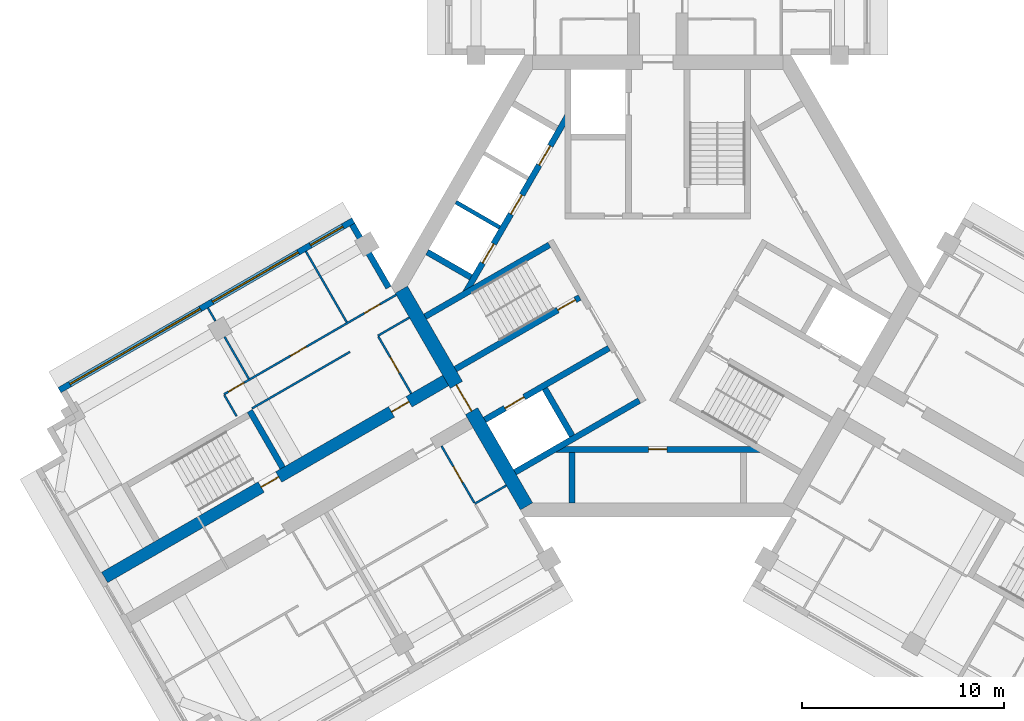
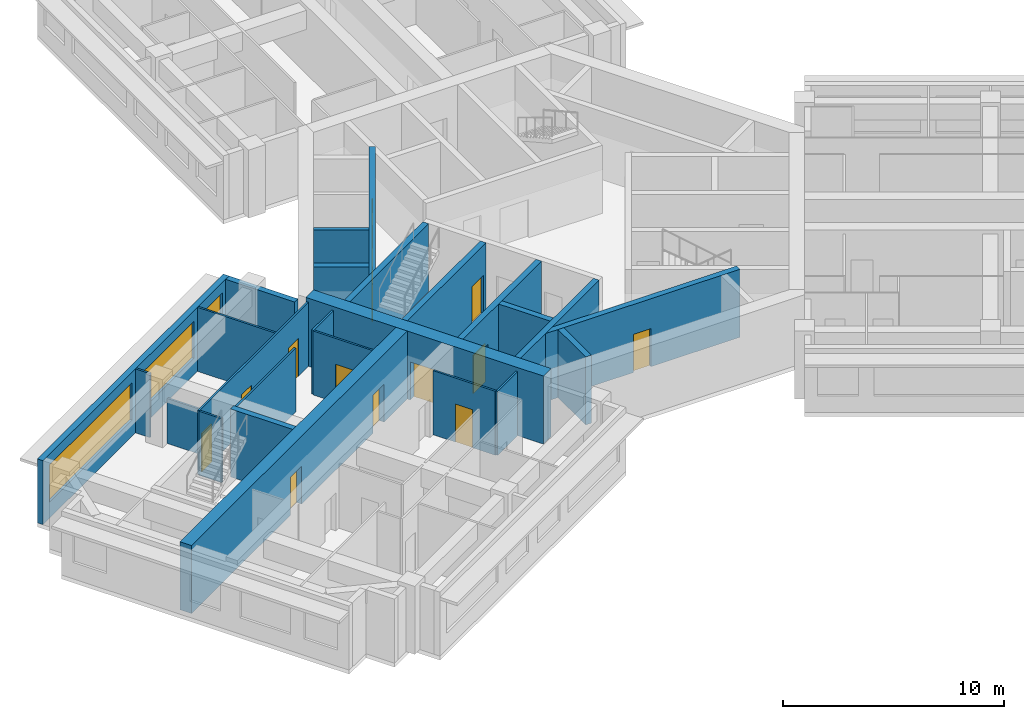
# One storey, part 3 of 10: 25 walls, 14 doors, 3 windows, 17 openings.
"""IFC4 building model written with IfcOpenShell, lengths in metres."""

from ifc_helpers import new_model, si_unit, direction, frame, frame_2d, origin, place, context, subcontext, project, spatial, rectangle, extrude, material, layer, layer_set, type_object, element, fill, save


model = new_model("IFC4")

# Units and contexts
model_context = context("Model", 3, precision=1e-05, world=origin(), true_north=direction((0.0, 1.0)))
body_context = subcontext(model_context, "Body", "Model", "MODEL_VIEW")
ifc_project = project(units=[si_unit("LENGTHUNIT", "METRE"), si_unit("AREAUNIT", "SQUARE_METRE"), si_unit("VOLUMEUNIT", "CUBIC_METRE"), si_unit("PLANEANGLEUNIT", "RADIAN"), si_unit("MASSUNIT", "GRAM", prefix="KILO")], contexts=[model_context])

# Site, building, storey
site_placement = place(None, origin())
site = spatial("IfcSite", under=ifc_project, at=site_placement, CompositionType="ELEMENT")
building_placement = place(site_placement, origin())
building = spatial("IfcBuilding", under=site, at=building_placement, Name="Impinga Residences", CompositionType="ELEMENT")
storey_placement = place(building_placement, frame((0.0, 0.0, 233.5)))
storey = spatial("IfcBuildingStorey", under=building, at=storey_placement, Name="L58", CompositionType="ELEMENT", Elevation=233.5)

# Wall, openings, doors
ifc_material_1 = material(Name="Concrete C60/75", Category="concrete")
ifc_layer_1 = layer(ifc_material_1, 0.60009765625)
ifc_layer_set_1 = layer_set([ifc_layer_1], Name="Concrete C60/75")
wall_type_1 = type_object("IfcWallType", Name="BW3 corridor buttress wall, L46 to L73 600", PredefinedType="SHEAR", material=ifc_layer_set_1)
wall_1_placement = place(storey_placement, frame((-10.19677734375, -4.50146484375, 0.0), z_axis=(0.0, 0.0, 1.0), x_axis=(-0.866025214745, -0.500000327426, 0.0)))
wall_1 = element("IfcWall", 1, at=wall_1_placement, inside=storey, type_object=wall_type_1, Name="Corridor wall BW3 WD L58", PredefinedType="SHEAR", context=body_context, shape_type="SweptSolid", body=[
    extrude(rectangle(XDim=19.85009765625, YDim=0.60009765625, at=frame_2d((9.925048828125, 0.0))), origin(), (0.0, 0.0, 1.0), 3.75),
])
opening_1_placement = place(wall_1_placement, frame((9.89990234375, 0.0, 0.0)))
opening_1 = element("IfcOpeningElement", 2, at=opening_1_placement, cuts=wall_1, Name="Opening D5", PredefinedType="OPENING", context=body_context, shape_type="SweptSolid", body=[
    extrude(rectangle(XDim=1.0, YDim=2.10009765625, at=frame_2d((0.5, 1.050048828125))), frame((0.0, 0.31005859375, 0.0), z_axis=(0.0, -1.0, 0.0), x_axis=(1.0, 0.0, 0.0)), (0.0, 0.0, 1.0), 0.6201171875),
])
opening_2_placement = place(wall_1_placement, frame((2.449951171875, 0.0, 0.0)))
opening_2 = element("IfcOpeningElement", 3, at=opening_2_placement, cuts=wall_1, Name="Opening D1", PredefinedType="OPENING", context=body_context, shape_type="SweptSolid", body=[
    extrude(rectangle(XDim=1.0, YDim=2.10009765625, at=frame_2d((0.5, 1.050048828125))), frame((0.0, 0.31005859375, 0.0), z_axis=(0.0, -1.0, 0.0), x_axis=(1.0, 0.0, 0.0)), (0.0, 0.0, 1.0), 0.6201171875),
])
ifc_material_2 = material(Name="Timber door set", Category="wood")
door_type_1 = type_object("IfcDoorType", Name="D1 apartment entrance door 1000x2100", OperationType="SINGLE_SWING_LEFT", PredefinedType="DOOR", material=ifc_material_2)
door_1_placement = place(opening_2_placement, origin())
door_1 = element("IfcDoor", 4, at=door_1_placement, inside=storey, type_object=door_type_1, Name="Apartment L58-WF1 entrance", OperationType="SINGLE_SWING_LEFT", OverallHeight=2.10009765625, OverallWidth=1.0, PredefinedType="DOOR", context=body_context, shape_type="SweptSolid", body=[
    extrude(rectangle(XDim=1.0, YDim=2.10009765625, at=frame_2d((0.5, 1.050048828125))), frame((0.0, 0.02490234375, 0.0), z_axis=(0.0, -1.0, 0.0), x_axis=(1.0, 0.0, 0.0)), (0.0, 0.0, 1.0), 0.050048828125),
])
fill(opening_2, door_1)
door_type_2 = type_object("IfcDoorType", Name="D5 stair door 1000x2100", OperationType="SINGLE_SWING_LEFT", PredefinedType="DOOR", material=ifc_material_2)
door_2_placement = place(opening_1_placement, origin())
door_2 = element("IfcDoor", 5, at=door_2_placement, inside=storey, type_object=door_type_2, Name="Wing stair door W", OperationType="SINGLE_SWING_RIGHT", OverallHeight=2.10009765625, OverallWidth=1.0, PredefinedType="DOOR", context=body_context, shape_type="SweptSolid", body=[
    extrude(rectangle(XDim=1.0, YDim=2.10009765625, at=frame_2d((0.5, 1.050048828125))), frame((0.0, 0.02490234375, 0.0), z_axis=(0.0, -1.0, 0.0), x_axis=(1.0, 0.0, 0.0)), (0.0, 0.0, 1.0), 0.050048828125),
])
fill(opening_1, door_2)

# Wall, openings, windows
ifc_material_3 = material(Name="Terracotta rainscreen on blockwork", Category="masonry")
ifc_layer_2 = layer(ifc_material_3, 0.300048828125)
ifc_layer_set_2 = layer_set([ifc_layer_2], Name="EW1 external wall, terracotta rainscreen on blockwork 300")
wall_type_2 = type_object("IfcWallType", Name="EW1 external wall, terracotta rainscreen on blockwork 300", PredefinedType="SOLIDWALL", material=ifc_layer_set_2)
wall_2_placement = place(storey_placement, frame((-29.624267578125, -5.15234375, 0.0), z_axis=(0.0, 0.0, 1.0), x_axis=(0.86602925447, 0.499993330357, 0.0)))
wall_2 = element("IfcWall", 6, at=wall_2_placement, inside=storey, type_object=wall_type_2, Name="External wall EW1 L58", PredefinedType="SOLIDWALL", context=body_context, shape_type="SweptSolid", body=[
    extrude(rectangle(XDim=16.800048828125, YDim=0.300048828125, at=frame_2d((8.39990234375, 0.0))), origin(), (0.0, 0.0, 1.0), 3.530029296875),
])
opening_3_placement = place(wall_2_placement, frame((0.60009765625, 0.0, 0.89990234375)))
opening_3 = element("IfcOpeningElement", 7, at=opening_3_placement, cuts=wall_2, Name="Opening W7", PredefinedType="OPENING", context=body_context, shape_type="SweptSolid", body=[
    extrude(rectangle(XDim=7.449951171875, YDim=2.050048828125, at=frame_2d((3.72509765625, 1.02490234375))), frame((0.0, 0.159912109375, 0.0), z_axis=(0.0, -1.0, 0.0), x_axis=(1.0, 0.0, 0.0)), (0.0, 0.0, 1.0), 0.320068359375),
])
opening_4_placement = place(wall_2_placement, frame((8.75, 0.0, 0.89990234375)))
opening_4 = element("IfcOpeningElement", 8, at=opening_4_placement, cuts=wall_2, Name="Opening W16", PredefinedType="OPENING", context=body_context, shape_type="SweptSolid", body=[
    extrude(rectangle(XDim=4.89990234375, YDim=2.050048828125, at=frame_2d((2.449951171875, 1.02490234375))), frame((0.0, 0.159912109375, 0.0), z_axis=(0.0, -1.0, 0.0), x_axis=(1.0, 0.0, 0.0)), (0.0, 0.0, 1.0), 0.320068359375),
])
opening_5_placement = place(wall_2_placement, frame((14.35009765625, 0.0, 0.89990234375)))
opening_5 = element("IfcOpeningElement", 9, at=opening_5_placement, cuts=wall_2, Name="Opening W15", PredefinedType="OPENING", context=body_context, shape_type="SweptSolid", body=[
    extrude(rectangle(XDim=1.85009765625, YDim=2.050048828125, at=frame_2d((0.925048828125, 1.02490234375))), frame((0.0, 0.159912109375, 0.0), z_axis=(0.0, -1.0, 0.0), x_axis=(1.0, 0.0, 0.0)), (0.0, 0.0, 1.0), 0.320068359375),
])
ifc_material_4 = material(Name="Aluminium window, clear double glazing", Category="aluminium")
window_type_1 = type_object("IfcWindowType", Name="W15 ribbon window 1850x2050", PartitioningType="SINGLE_PANEL", PredefinedType="WINDOW", material=ifc_material_4)
window_1_placement = place(opening_5_placement, origin())
window_1 = element("IfcWindow", 10, at=window_1_placement, inside=storey, type_object=window_type_1, Name="Window L58", OverallHeight=2.050048828125, OverallWidth=1.85009765625, PartitioningType="SINGLE_PANEL", PredefinedType="WINDOW", context=body_context, shape_type="SweptSolid", body=[
    extrude(rectangle(XDim=1.85009765625, YDim=2.050048828125, at=frame_2d((0.925048828125, 1.02490234375))), frame((0.0, 0.030029296875, 0.0), z_axis=(0.0, -1.0, 0.0), x_axis=(1.0, 0.0, 0.0)), (0.0, 0.0, 1.0), 0.06005859375),
])
fill(opening_5, window_1)
window_type_2 = type_object("IfcWindowType", Name="W16 ribbon window 4900x2050", PartitioningType="SINGLE_PANEL", PredefinedType="WINDOW", material=ifc_material_4)
window_2_placement = place(opening_4_placement, origin())
window_2 = element("IfcWindow", 11, at=window_2_placement, inside=storey, type_object=window_type_2, Name="Window L58", OverallHeight=2.050048828125, OverallWidth=4.89990234375, PartitioningType="SINGLE_PANEL", PredefinedType="WINDOW", context=body_context, shape_type="SweptSolid", body=[
    extrude(rectangle(XDim=4.89990234375, YDim=2.050048828125, at=frame_2d((2.449951171875, 1.02490234375))), frame((0.0, 0.030029296875, 0.0), z_axis=(0.0, -1.0, 0.0), x_axis=(1.0, 0.0, 0.0)), (0.0, 0.0, 1.0), 0.06005859375),
])
fill(opening_4, window_2)
window_type_3 = type_object("IfcWindowType", Name="W7 ribbon window 7450x2050", PartitioningType="SINGLE_PANEL", PredefinedType="WINDOW", material=ifc_material_4)
window_3_placement = place(opening_3_placement, origin())
window_3 = element("IfcWindow", 12, at=window_3_placement, inside=storey, type_object=window_type_3, Name="Window L58", OverallHeight=2.050048828125, OverallWidth=7.449951171875, PartitioningType="SINGLE_PANEL", PredefinedType="WINDOW", context=body_context, shape_type="SweptSolid", body=[
    extrude(rectangle(XDim=7.449951171875, YDim=2.050048828125, at=frame_2d((3.72509765625, 1.02490234375))), frame((0.0, 0.030029296875, 0.0), z_axis=(0.0, -1.0, 0.0), x_axis=(1.0, 0.0, 0.0)), (0.0, 0.0, 1.0), 0.06005859375),
])
fill(opening_3, window_3)

# Walls
wall_3_placement = place(storey_placement, frame((-15.1298828125, 3.042724609375, 0.0), z_axis=(0.0, 0.0, 1.0), x_axis=(0.500012057535, -0.866018442252, 0.0)))
element("IfcWall", 13, at=wall_3_placement, inside=storey, type_object=wall_type_2, Name="External wall EW1 L58", PredefinedType="SOLIDWALL", context=body_context, shape_type="SweptSolid", body=[
    extrude(rectangle(XDim=3.60009765625, YDim=0.300048828125, at=frame_2d((1.800048828125, 0.0))), origin(), (0.0, 0.0, 1.0), 3.530029296875),
])
ifc_material_5 = material(Name="Gypsum board on steel studs", Category="steel")
ifc_layer_3 = layer(ifc_material_5, 0.10009765625)
ifc_layer_set_3 = layer_set([ifc_layer_3], Name="Gypsum board on steel studs")
wall_type_3 = type_object("IfcWallType", Name="IP1 partition 100", PredefinedType="PARTITIONING", material=ifc_layer_set_3)
wall_4_placement = place(storey_placement, frame((-7.5, -9.872802734375, 0.0), z_axis=(0.0, 0.0, 1.0), x_axis=(-0.866047807691, -0.499961193289, 0.0)))
element("IfcWall", 14, at=wall_4_placement, inside=storey, type_object=wall_type_3, Name="Partition L58-WA1:DIV0", PredefinedType="PARTITIONING", context=body_context, shape_type="SweptSolid", body=[
    extrude(rectangle(XDim=1.800048828125, YDim=0.10009765625, at=frame_2d((0.89990234375, 0.0))), origin(), (0.0, 0.0, 1.0), 3.530029296875),
])

# Wall, opening, door
wall_5_placement = place(storey_placement, frame((-10.708740234375, -7.914794921875, 0.0), z_axis=(0.0, 0.0, 1.0), x_axis=(0.499984717929, -0.866034226713, 0.0)))
wall_5 = element("IfcWall", 15, at=wall_5_placement, inside=storey, type_object=wall_type_3, Name="Partition L58-WA1:IB1", PredefinedType="PARTITIONING", context=body_context, shape_type="SweptSolid", body=[
    extrude(rectangle(XDim=3.25, YDim=0.10009765625, at=frame_2d((1.625, 0.0))), origin(), (0.0, 0.0, 1.0), 3.530029296875),
])
opening_6_placement = place(wall_5_placement, frame((1.175048828125, 0.0, 0.0)))
opening_6 = element("IfcOpeningElement", 16, at=opening_6_placement, cuts=wall_5, Name="Opening D2", PredefinedType="OPENING", context=body_context, shape_type="SweptSolid", body=[
    extrude(rectangle(XDim=0.89990234375, YDim=2.10009765625, at=frame_2d((0.449951171875, 1.050048828125))), frame((0.0, 0.06005859375, 0.0), z_axis=(0.0, -1.0, 0.0), x_axis=(1.0, 0.0, 0.0)), (0.0, 0.0, 1.0), 0.1201171875),
])
door_type_3 = type_object("IfcDoorType", Name="D2 internal door 900x2100", OperationType="SINGLE_SWING_LEFT", PredefinedType="DOOR", material=ifc_material_2)
door_3_placement = place(opening_6_placement, origin())
door_3 = element("IfcDoor", 17, at=door_3_placement, inside=storey, type_object=door_type_3, Name="Apartment L58-WA1 bathroom door", OperationType="SINGLE_SWING_LEFT", OverallHeight=2.10009765625, OverallWidth=0.89990234375, PredefinedType="DOOR", context=body_context, shape_type="SweptSolid", body=[
    extrude(rectangle(XDim=0.89990234375, YDim=2.10009765625, at=frame_2d((0.449951171875, 1.050048828125))), frame((0.0, 0.02490234375, 0.0), z_axis=(0.0, -1.0, 0.0), x_axis=(1.0, 0.0, 0.0)), (0.0, 0.0, 1.0), 0.050048828125),
])
fill(opening_6, door_3)

# Walls
wall_6_placement = place(storey_placement, frame((-12.300048828125, -1.558837890625, 0.0), z_axis=(0.0, 0.0, 1.0), x_axis=(-0.866047807691, -0.499961193289, 0.0)))
element("IfcWall", 18, at=wall_6_placement, inside=storey, type_object=wall_type_3, Name="Partition L58-WF1:DIV0", PredefinedType="PARTITIONING", context=body_context, shape_type="SweptSolid", body=[
    extrude(rectangle(XDim=1.800048828125, YDim=0.10009765625, at=frame_2d((0.89990234375, 0.0))), origin(), (0.0, 0.0, 1.0), 3.530029296875),
])
wall_7_placement = place(storey_placement, frame((-15.244384765625, -3.2587890625, 0.0), z_axis=(0.0, 0.0, 1.0), x_axis=(-0.866026594901, -0.49999793692, 0.0)))
element("IfcWall", 19, at=wall_7_placement, inside=storey, type_object=wall_type_3, Name="Partition L58-WF1:DIV1", PredefinedType="PARTITIONING", context=body_context, shape_type="SweptSolid", body=[
    extrude(rectangle(XDim=5.60009765625, YDim=0.10009765625, at=frame_2d((2.800048828125, 0.0))), origin(), (0.0, 0.0, 1.0), 3.530029296875),
])

# Wall, openings, doors
wall_8_placement = place(storey_placement, frame((-12.949951171875, -0.43310546875, 0.0), z_axis=(0.0, 0.0, 1.0), x_axis=(-0.866038236991, -0.499977771575, 0.0)))
wall_8 = element("IfcWall", 20, at=wall_8_placement, inside=storey, type_object=wall_type_3, Name="Partition L58-WF1:STRIP", PredefinedType="PARTITIONING", context=body_context, shape_type="SweptSolid", body=[
    extrude(rectangle(XDim=9.85009765625, YDim=0.10009765625, at=frame_2d((4.925048828125, 0.0))), origin(), (0.0, 0.0, 1.0), 3.530029296875),
])
opening_7_placement = place(wall_8_placement, frame((0.925048828125, 0.0, 0.0)))
opening_7 = element("IfcOpeningElement", 21, at=opening_7_placement, cuts=wall_8, Name="Opening D2", PredefinedType="OPENING", context=body_context, shape_type="SweptSolid", body=[
    extrude(rectangle(XDim=0.89990234375, YDim=2.10009765625, at=frame_2d((0.449951171875, 1.050048828125))), frame((0.0, 0.06005859375, 0.0), z_axis=(0.0, -1.0, 0.0), x_axis=(1.0, 0.0, 0.0)), (0.0, 0.0, 1.0), 0.1201171875),
])
opening_8_placement = place(wall_8_placement, frame((5.14990234375, 0.0, 0.0)))
opening_8 = element("IfcOpeningElement", 22, at=opening_8_placement, cuts=wall_8, Name="Opening D2", PredefinedType="OPENING", context=body_context, shape_type="SweptSolid", body=[
    extrude(rectangle(XDim=0.89990234375, YDim=2.10009765625, at=frame_2d((0.449951171875, 1.050048828125))), frame((0.0, 0.06005859375, 0.0), z_axis=(0.0, -1.0, 0.0), x_axis=(1.0, 0.0, 0.0)), (0.0, 0.0, 1.0), 0.1201171875),
])
opening_9_placement = place(wall_8_placement, frame((8.699951171875, 0.0, 0.0)))
opening_9 = element("IfcOpeningElement", 23, at=opening_9_placement, cuts=wall_8, Name="Opening D2", PredefinedType="OPENING", context=body_context, shape_type="SweptSolid", body=[
    extrude(rectangle(XDim=0.89990234375, YDim=2.10009765625, at=frame_2d((0.449951171875, 1.050048828125))), frame((0.0, 0.06005859375, 0.0), z_axis=(0.0, -1.0, 0.0), x_axis=(1.0, 0.0, 0.0)), (0.0, 0.0, 1.0), 0.1201171875),
])
door_4_placement = place(opening_7_placement, origin())
door_4 = element("IfcDoor", 24, at=door_4_placement, inside=storey, type_object=door_type_3, Name="Apartment L58-WF1 room door", OperationType="SINGLE_SWING_LEFT", OverallHeight=2.10009765625, OverallWidth=0.89990234375, PredefinedType="DOOR", context=body_context, shape_type="SweptSolid", body=[
    extrude(rectangle(XDim=0.89990234375, YDim=2.10009765625, at=frame_2d((0.449951171875, 1.050048828125))), frame((0.0, 0.02490234375, 0.0), z_axis=(0.0, -1.0, 0.0), x_axis=(1.0, 0.0, 0.0)), (0.0, 0.0, 1.0), 0.050048828125),
])
fill(opening_7, door_4)
door_5_placement = place(opening_8_placement, origin())
door_5 = element("IfcDoor", 25, at=door_5_placement, inside=storey, type_object=door_type_3, Name="Apartment L58-WF1 room door", OperationType="SINGLE_SWING_RIGHT", OverallHeight=2.10009765625, OverallWidth=0.89990234375, PredefinedType="DOOR", context=body_context, shape_type="SweptSolid", body=[
    extrude(rectangle(XDim=0.89990234375, YDim=2.10009765625, at=frame_2d((0.449951171875, 1.050048828125))), frame((0.0, 0.02490234375, 0.0), z_axis=(0.0, -1.0, 0.0), x_axis=(1.0, 0.0, 0.0)), (0.0, 0.0, 1.0), 0.050048828125),
])
fill(opening_8, door_5)
door_6_placement = place(opening_9_placement, origin())
door_6 = element("IfcDoor", 26, at=door_6_placement, inside=storey, type_object=door_type_3, Name="Apartment L58-WF1 room door", OperationType="SINGLE_SWING_RIGHT", OverallHeight=2.10009765625, OverallWidth=0.89990234375, PredefinedType="DOOR", context=body_context, shape_type="SweptSolid", body=[
    extrude(rectangle(XDim=0.89990234375, YDim=2.10009765625, at=frame_2d((0.449951171875, 1.050048828125))), frame((0.0, 0.02490234375, 0.0), z_axis=(0.0, -1.0, 0.0), x_axis=(1.0, 0.0, 0.0)), (0.0, 0.0, 1.0), 0.050048828125),
])
fill(opening_9, door_6)

# Wall
wall_9_placement = place(storey_placement, frame((-20.85546875, -6.4404296875, 0.0), z_axis=(0.0, 0.0, 1.0), x_axis=(-0.499969057507, 0.866043267704, 0.0)))
element("IfcWall", 27, at=wall_9_placement, inside=storey, type_object=wall_type_3, Name="Partition L58-WF1:SE1", PredefinedType="PARTITIONING", context=body_context, shape_type="SweptSolid", body=[
    extrude(rectangle(XDim=1.19970703125, YDim=0.10009765625, at=frame_2d((0.599853515625, 0.0))), origin(), (0.0, 0.0, 1.0), 3.530029296875),
])

# Wall, opening, door
wall_10_placement = place(storey_placement, frame((-12.208740234375, -5.316650390625, 0.0), z_axis=(0.0, 0.0, 1.0), x_axis=(-0.500017246033, 0.866015446554, 0.0)))
wall_10 = element("IfcWall", 28, at=wall_10_placement, inside=storey, type_object=wall_type_3, Name="Partition L58-WF1:IB1", PredefinedType="PARTITIONING", context=body_context, shape_type="SweptSolid", body=[
    extrude(rectangle(XDim=3.25, YDim=0.10009765625, at=frame_2d((1.625, 0.0))), origin(), (0.0, 0.0, 1.0), 3.530029296875),
])
opening_10_placement = place(wall_10_placement, frame((1.175048828125, 0.0, 0.0)))
opening_10 = element("IfcOpeningElement", 29, at=opening_10_placement, cuts=wall_10, Name="Opening D2", PredefinedType="OPENING", context=body_context, shape_type="SweptSolid", body=[
    extrude(rectangle(XDim=0.89990234375, YDim=2.10009765625, at=frame_2d((0.449951171875, 1.050048828125))), frame((0.0, 0.06005859375, 0.0), z_axis=(0.0, -1.0, 0.0), x_axis=(1.0, 0.0, 0.0)), (0.0, 0.0, 1.0), 0.1201171875),
])
door_7_placement = place(opening_10_placement, origin())
door_7 = element("IfcDoor", 30, at=door_7_placement, inside=storey, type_object=door_type_3, Name="Apartment L58-WF1 bathroom door", OperationType="SINGLE_SWING_LEFT", OverallHeight=2.10009765625, OverallWidth=0.89990234375, PredefinedType="DOOR", context=body_context, shape_type="SweptSolid", body=[
    extrude(rectangle(XDim=0.89990234375, YDim=2.10009765625, at=frame_2d((0.449951171875, 1.050048828125))), frame((0.0, 0.02490234375, 0.0), z_axis=(0.0, -1.0, 0.0), x_axis=(1.0, 0.0, 0.0)), (0.0, 0.0, 1.0), 0.050048828125),
])
fill(opening_10, door_7)

# Walls
wall_11_placement = place(storey_placement, frame((-15.39990234375, -1.789794921875, 0.0), z_axis=(0.0, 0.0, 1.0), x_axis=(-0.499964223975, 0.866046058097, 0.0)))
element("IfcWall", 31, at=wall_11_placement, inside=storey, type_object=wall_type_3, Name="Partition L58-WF1:OB1", PredefinedType="PARTITIONING", context=body_context, shape_type="SweptSolid", body=[
    extrude(rectangle(XDim=4.050048828125, YDim=0.10009765625, at=frame_2d((2.02490234375, 0.0))), origin(), (0.0, 0.0, 1.0), 3.530029296875),
])
wall_12_placement = place(storey_placement, frame((-20.24951171875, -4.589599609375, 0.0), z_axis=(0.0, 0.0, 1.0), x_axis=(-0.500077600433, 0.865980596518, 0.0)))
element("IfcWall", 32, at=wall_12_placement, inside=storey, type_object=wall_type_3, Name="Partition L58-WF1:OB2", PredefinedType="PARTITIONING", context=body_context, shape_type="SweptSolid", body=[
    extrude(rectangle(XDim=2.39990234375, YDim=0.10009765625, at=frame_2d((1.199951171875, 0.0))), origin(), (0.0, 0.0, 1.0), 2.47998046875),
])
wall_13_placement = place(storey_placement, frame((-21.899658203125, -1.73193359375, 0.0), z_axis=(0.0, 0.0, 1.0), x_axis=(-0.499919672301, 0.866071776036, 0.0)))
element("IfcWall", 33, at=wall_13_placement, inside=storey, type_object=wall_type_3, Name="Partition L58-WF1:OB2b", PredefinedType="PARTITIONING", context=body_context, shape_type="SweptSolid", body=[
    extrude(rectangle(XDim=0.75, YDim=0.10009765625, at=frame_2d((0.375, 0.0))), origin(), (0.0, 0.0, 1.0), 3.530029296875),
])
ifc_layer_4 = layer(ifc_material_1, 0.300048828125)
ifc_layer_set_4 = layer_set([ifc_layer_4], Name="Concrete C60/75")
wall_type_4 = type_object("IfcWallType", Name="SE1 wing stair enclosure wall 300", PredefinedType="SOLIDWALL", material=ifc_layer_set_4)
wall_14_placement = place(storey_placement, frame((-18.57421875, -8.99169921875, 0.0), z_axis=(0.0, 0.0, 1.0), x_axis=(-0.500017246033, 0.866015446554, 0.0)))
element("IfcWall", 34, at=wall_14_placement, inside=storey, type_object=wall_type_4, Name="Stair enclosure wall SE1 W END0 L58", PredefinedType="SOLIDWALL", context=body_context, shape_type="SweptSolid", body=[
    extrude(rectangle(XDim=3.25, YDim=0.300048828125, at=frame_2d((1.625, 0.0))), origin(), (0.0, 0.0, 1.0), 3.75),
])

# Wall, opening, door
ifc_layer_5 = layer(ifc_material_1, 0.699951171875)
ifc_layer_set_5 = layer_set([ifc_layer_5], Name="Concrete C60/75")
wall_type_5 = type_object("IfcWallType", Name="SW3 core wall 700", PredefinedType="SHEAR", material=ifc_layer_set_5)
wall_15_placement = place(storey_placement, frame((-6.4990234375, -10.906494140625, 0.0), z_axis=(0.0, 0.0, 1.0), x_axis=(-0.499999875397, 0.866025475724, 0.0)))
wall_15 = element("IfcWall", 35, at=wall_15_placement, inside=storey, type_object=wall_type_5, Name="Core wall SW3 W:FACE L58", PredefinedType="SHEAR", context=body_context, shape_type="SweptSolid", body=[
    extrude(rectangle(XDim=12.3916015625, YDim=0.699951171875, at=frame_2d((6.19580078125, 0.0))), origin(), (0.0, 0.0, 1.0), 3.75),
])
opening_11_placement = place(wall_15_placement, frame((5.44580078125, 0.0, 0.0)))
opening_11 = element("IfcOpeningElement", 36, at=opening_11_placement, cuts=wall_15, Name="Opening D4", PredefinedType="OPENING", context=body_context, shape_type="SweptSolid", body=[
    extrude(rectangle(XDim=1.5, YDim=2.10009765625, at=frame_2d((0.75, 1.050048828125))), frame((0.0, 0.35986328125, 0.0), z_axis=(0.0, -1.0, 0.0), x_axis=(1.0, 0.0, 0.0)), (0.0, 0.0, 1.0), 0.719970703125),
])
door_type_4 = type_object("IfcDoorType", Name="D4 lobby door pair 1500x2100", OperationType="DOUBLE_DOOR_DOUBLE_SWING", PredefinedType="DOOR", material=ifc_material_2)
door_8_placement = place(opening_11_placement, origin())
door_8 = element("IfcDoor", 37, at=door_8_placement, inside=storey, type_object=door_type_4, Name="Lobby door W", OperationType="DOUBLE_DOOR_DOUBLE_SWING", OverallHeight=2.10009765625, OverallWidth=1.5, PredefinedType="DOOR", context=body_context, shape_type="SweptSolid", body=[
    extrude(rectangle(XDim=1.5, YDim=2.10009765625, at=frame_2d((0.75, 1.050048828125))), frame((0.0, 0.02490234375, 0.0), z_axis=(0.0, -1.0, 0.0), x_axis=(1.0, 0.0, 0.0)), (0.0, 0.0, 1.0), 0.050048828125),
])
fill(opening_11, door_8)

ifc_material_6 = material(Name="Concrete C70/85", Category="concrete")
ifc_layer_6 = layer(ifc_material_6, 0.300048828125)
ifc_layer_set_6 = layer_set([ifc_layer_6], Name="Concrete C70/85")
wall_type_6 = type_object("IfcWallType", Name="SW5 core inner wall, stairs, shafts and lobbies 300", PredefinedType="SHEAR", material=ifc_layer_set_6)
wall_16_placement = place(storey_placement, frame((-3.86865234375, -0.559326171875, 0.0), z_axis=(0.0, 0.0, 1.0), x_axis=(-0.866025859768, -0.499999210213, 0.0)))
wall_16 = element("IfcWall", 38, at=wall_16_placement, inside=storey, type_object=wall_type_6, Name="Core wall SW5 W:ST-IN L58", PredefinedType="SHEAR", context=body_context, shape_type="SweptSolid", body=[
    extrude(rectangle(XDim=7.1015625, YDim=0.300048828125, at=frame_2d((3.55078125, 0.0))), origin(), (0.0, 0.0, 1.0), 3.75),
])
opening_12_placement = place(wall_16_placement, frame((0.25, 0.0, 0.0)))
opening_12 = element("IfcOpeningElement", 39, at=opening_12_placement, cuts=wall_16, Name="Opening D5", PredefinedType="OPENING", context=body_context, shape_type="SweptSolid", body=[
    extrude(rectangle(XDim=1.0, YDim=2.10009765625, at=frame_2d((0.5, 1.050048828125))), frame((0.0, 0.159912109375, 0.0), z_axis=(0.0, -1.0, 0.0), x_axis=(1.0, 0.0, 0.0)), (0.0, 0.0, 1.0), 0.320068359375),
])
door_9_placement = place(opening_12_placement, origin())
door_9 = element("IfcDoor", 40, at=door_9_placement, inside=storey, type_object=door_type_2, Name="Stair door W", OperationType="SINGLE_SWING_LEFT", OverallHeight=2.10009765625, OverallWidth=1.0, PredefinedType="DOOR", context=body_context, shape_type="SweptSolid", body=[
    extrude(rectangle(XDim=1.0, YDim=2.10009765625, at=frame_2d((0.5, 1.050048828125))), frame((0.0, 0.02490234375, 0.0), z_axis=(0.0, -1.0, 0.0), x_axis=(1.0, 0.0, 0.0)), (0.0, 0.0, 1.0), 0.050048828125),
])
fill(opening_12, door_9)

# Wall
wall_17_placement = place(storey_placement, frame((-5.36865234375, 2.038818359375, 0.0), z_axis=(0.0, 0.0, 1.0), x_axis=(-0.866025859768, -0.499999210213, 0.0)))
element("IfcWall", 41, at=wall_17_placement, inside=storey, type_object=wall_type_6, Name="Core wall SW5 W:ST-OUT L58", PredefinedType="SHEAR", context=body_context, shape_type="SweptSolid", body=[
    extrude(rectangle(XDim=7.1015625, YDim=0.300048828125, at=frame_2d((3.55078125, 0.0))), origin(), (0.0, 0.0, 1.0), 3.75),
])

# Wall, opening, door
wall_18_placement = place(storey_placement, frame((-2.418701171875, -3.07080078125, 0.0), z_axis=(0.0, 0.0, 1.0), x_axis=(-0.866025859768, -0.499999210213, 0.0)))
wall_18 = element("IfcWall", 42, at=wall_18_placement, inside=storey, type_object=wall_type_6, Name="Core wall SW5 W:FF-IN L58", PredefinedType="SHEAR", context=body_context, shape_type="SweptSolid", body=[
    extrude(rectangle(XDim=7.1015625, YDim=0.300048828125, at=frame_2d((3.55078125, 0.0))), origin(), (0.0, 0.0, 1.0), 3.75),
])
opening_13_placement = place(wall_18_placement, frame((4.85009765625, 0.0, 0.0)))
opening_13 = element("IfcOpeningElement", 43, at=opening_13_placement, cuts=wall_18, Name="Opening LD2", PredefinedType="OPENING", context=body_context, shape_type="SweptSolid", body=[
    extrude(rectangle(XDim=1.10009765625, YDim=2.10009765625, at=frame_2d((0.550048828125, 1.050048828125))), frame((0.0, 0.159912109375, 0.0), z_axis=(0.0, -1.0, 0.0), x_axis=(1.0, 0.0, 0.0)), (0.0, 0.0, 1.0), 0.320068359375),
])
ifc_material_7 = material(Name="Steel lift landing door", Category="steel")
door_type_5 = type_object("IfcDoorType", Name="LD2 firefighting lift landing door 1100x2100", OperationType="DOUBLE_DOOR_SLIDING", PredefinedType="DOOR", material=ifc_material_7)
door_10_placement = place(opening_13_placement, origin())
door_10 = element("IfcDoor", 44, at=door_10_placement, inside=storey, type_object=door_type_5, Name="Firefighting lift landing door F2", OperationType="DOUBLE_DOOR_SLIDING", OverallHeight=2.10009765625, OverallWidth=1.10009765625, PredefinedType="DOOR", context=body_context, shape_type="SweptSolid", body=[
    extrude(rectangle(XDim=1.10009765625, YDim=2.10009765625, at=frame_2d((0.550048828125, 1.050048828125))), frame((0.0, 0.02490234375, 0.0), z_axis=(0.0, -1.0, 0.0), x_axis=(1.0, 0.0, 0.0)), (0.0, 0.0, 1.0), 0.050048828125),
])
fill(opening_13, door_10)

# Walls
wall_19_placement = place(storey_placement, frame((-0.918701171875, -5.668701171875, 0.0), z_axis=(0.0, 0.0, 1.0), x_axis=(-0.866025859768, -0.499999210213, 0.0)))
element("IfcWall", 45, at=wall_19_placement, inside=storey, type_object=wall_type_6, Name="Core wall SW5 W:FF-OUT L58", PredefinedType="SHEAR", context=body_context, shape_type="SweptSolid", body=[
    extrude(rectangle(XDim=7.1015625, YDim=0.300048828125, at=frame_2d((3.55078125, 0.0))), origin(), (0.0, 0.0, 1.0), 3.75),
])
wall_20_placement = place(storey_placement, frame((-4.2412109375, -7.413818359375, 0.0), z_axis=(0.0, 0.0, 1.0), x_axis=(-0.500048589285, 0.86599734893, 0.0)))
element("IfcWall", 46, at=wall_20_placement, inside=storey, type_object=wall_type_6, Name="Core wall SW5 W:FF-RS L58", PredefinedType="SHEAR", context=body_context, shape_type="SweptSolid", body=[
    extrude(rectangle(XDim=2.699951171875, YDim=0.300048828125, at=frame_2d((1.35009765625, 0.0))), origin(), (0.0, 0.0, 1.0), 3.75),
])

# Wall, opening, door
wall_21_placement = place(storey_placement, frame((5.09765625, -8.08154296875, 0.0), z_axis=(0.0, 0.0, 1.0), x_axis=(-1.0, 0.0, 0.0)))
wall_21 = element("IfcWall", 47, at=wall_21_placement, inside=storey, type_object=wall_type_6, Name="Core wall SW5 N:BANK-FRONT L58", PredefinedType="SHEAR", context=body_context, shape_type="SweptSolid", body=[
    extrude(rectangle(XDim=10.1953125, YDim=0.300048828125, at=frame_2d((5.09765625, 0.0))), origin(), (0.0, 0.0, 1.0), 3.75),
])
opening_14_placement = place(wall_21_placement, frame((4.647705078125, 0.0, 0.0)))
opening_14 = element("IfcOpeningElement", 48, at=opening_14_placement, cuts=wall_21, Name="Opening D6", PredefinedType="OPENING", context=body_context, shape_type="SweptSolid", body=[
    extrude(rectangle(XDim=0.89990234375, YDim=2.10009765625, at=frame_2d((0.449951171875, 1.050048828125))), frame((0.0, 0.159912109375, 0.0), z_axis=(0.0, -1.0, 0.0), x_axis=(1.0, 0.0, 0.0)), (0.0, 0.0, 1.0), 0.320068359375),
])
door_type_6 = type_object("IfcDoorType", Name="D6 riser and store door 900x2100", OperationType="SINGLE_SWING_LEFT", PredefinedType="DOOR", material=ifc_material_2)
door_11_placement = place(opening_14_placement, origin())
door_11 = element("IfcDoor", 49, at=door_11_placement, inside=storey, type_object=door_type_6, Name="Residents' parcel room door", OperationType="SINGLE_SWING_LEFT", OverallHeight=2.10009765625, OverallWidth=0.89990234375, PredefinedType="DOOR", context=body_context, shape_type="SweptSolid", body=[
    extrude(rectangle(XDim=0.89990234375, YDim=2.10009765625, at=frame_2d((0.449951171875, 1.050048828125))), frame((0.0, 0.02490234375, 0.0), z_axis=(0.0, -1.0, 0.0), x_axis=(1.0, 0.0, 0.0)), (0.0, 0.0, 1.0), 0.050048828125),
])
fill(opening_14, door_11)

# Wall
wall_22_placement = place(storey_placement, frame((-4.25, -8.2314453125, 0.0), z_axis=(0.0, 0.0, 1.0), x_axis=(0.0, -1.0, 0.0)))
element("IfcWall", 50, at=wall_22_placement, inside=storey, type_object=wall_type_6, Name="Core wall SW5 N:BANK-R L58", PredefinedType="SHEAR", context=body_context, shape_type="SweptSolid", body=[
    extrude(rectangle(XDim=2.5, YDim=0.300048828125, at=frame_2d((1.25, 0.0))), origin(), (0.0, 0.0, 1.0), 3.75),
])

# Wall, openings, doors
wall_23_placement = place(storey_placement, frame((-9.547607421875, -0.3740234375, 0.0), z_axis=(0.0, 0.0, 1.0), x_axis=(0.500002290144, 0.866024081565, 0.0)))
wall_23 = element("IfcWall", 51, at=wall_23_placement, inside=storey, type_object=wall_type_6, Name="Core wall SW5 E:BANK-FRONT L58", PredefinedType="SHEAR", context=body_context, shape_type="SweptSolid", body=[
    extrude(rectangle(XDim=10.1953125, YDim=0.300048828125, at=frame_2d((5.09765625, 0.0))), origin(), (0.0, 0.0, 1.0), 3.75),
])
opening_15_placement = place(wall_23_placement, frame((1.74755859375, 0.0, 0.0)))
opening_15 = element("IfcOpeningElement", 52, at=opening_15_placement, cuts=wall_23, Name="Opening LD1", PredefinedType="OPENING", context=body_context, shape_type="SweptSolid", body=[
    extrude(rectangle(XDim=1.10009765625, YDim=2.10009765625, at=frame_2d((0.550048828125, 1.050048828125))), frame((0.0, 0.159912109375, 0.0), z_axis=(0.0, -1.0, 0.0), x_axis=(1.0, 0.0, 0.0)), (0.0, 0.0, 1.0), 0.320068359375),
])
opening_16_placement = place(wall_23_placement, frame((4.547607421875, 0.0, 0.0)))
opening_16 = element("IfcOpeningElement", 53, at=opening_16_placement, cuts=wall_23, Name="Opening LD1", PredefinedType="OPENING", context=body_context, shape_type="SweptSolid", body=[
    extrude(rectangle(XDim=1.10009765625, YDim=2.10009765625, at=frame_2d((0.550048828125, 1.050048828125))), frame((0.0, 0.159912109375, 0.0), z_axis=(0.0, -1.0, 0.0), x_axis=(1.0, 0.0, 0.0)), (0.0, 0.0, 1.0), 0.320068359375),
])
opening_17_placement = place(wall_23_placement, frame((7.34765625, 0.0, 0.0)))
opening_17 = element("IfcOpeningElement", 54, at=opening_17_placement, cuts=wall_23, Name="Opening LD1", PredefinedType="OPENING", context=body_context, shape_type="SweptSolid", body=[
    extrude(rectangle(XDim=1.10009765625, YDim=2.10009765625, at=frame_2d((0.550048828125, 1.050048828125))), frame((0.0, 0.159912109375, 0.0), z_axis=(0.0, -1.0, 0.0), x_axis=(1.0, 0.0, 0.0)), (0.0, 0.0, 1.0), 0.320068359375),
])
door_type_7 = type_object("IfcDoorType", Name="LD1 passenger lift landing door 1100x2100", OperationType="DOUBLE_DOOR_SLIDING", PredefinedType="DOOR", material=ifc_material_7)
door_12_placement = place(opening_15_placement, origin())
door_12 = element("IfcDoor", 55, at=door_12_placement, inside=storey, type_object=door_type_7, Name="Lift landing door P7", OperationType="DOUBLE_DOOR_SLIDING", OverallHeight=2.10009765625, OverallWidth=1.10009765625, PredefinedType="DOOR", context=body_context, shape_type="SweptSolid", body=[
    extrude(rectangle(XDim=1.10009765625, YDim=2.10009765625, at=frame_2d((0.550048828125, 1.050048828125))), frame((0.0, 0.02490234375, 0.0), z_axis=(0.0, -1.0, 0.0), x_axis=(1.0, 0.0, 0.0)), (0.0, 0.0, 1.0), 0.050048828125),
])
fill(opening_15, door_12)
door_13_placement = place(opening_16_placement, origin())
door_13 = element("IfcDoor", 56, at=door_13_placement, inside=storey, type_object=door_type_7, Name="Lift landing door P8", OperationType="DOUBLE_DOOR_SLIDING", OverallHeight=2.10009765625, OverallWidth=1.10009765625, PredefinedType="DOOR", context=body_context, shape_type="SweptSolid", body=[
    extrude(rectangle(XDim=1.10009765625, YDim=2.10009765625, at=frame_2d((0.550048828125, 1.050048828125))), frame((0.0, 0.02490234375, 0.0), z_axis=(0.0, -1.0, 0.0), x_axis=(1.0, 0.0, 0.0)), (0.0, 0.0, 1.0), 0.050048828125),
])
fill(opening_16, door_13)
door_14_placement = place(opening_17_placement, origin())
door_14 = element("IfcDoor", 57, at=door_14_placement, inside=storey, type_object=door_type_7, Name="Lift landing door P9", OperationType="DOUBLE_DOOR_SLIDING", OverallHeight=2.10009765625, OverallWidth=1.10009765625, PredefinedType="DOOR", context=body_context, shape_type="SweptSolid", body=[
    extrude(rectangle(XDim=1.10009765625, YDim=2.10009765625, at=frame_2d((0.550048828125, 1.050048828125))), frame((0.0, 0.02490234375, 0.0), z_axis=(0.0, -1.0, 0.0), x_axis=(1.0, 0.0, 0.0)), (0.0, 0.0, 1.0), 0.050048828125),
])
fill(opening_17, door_14)

# Walls
wall_24_placement = place(storey_placement, frame((-9.253662109375, 0.43505859375, 0.0), z_axis=(0.0, 0.0, 1.0), x_axis=(-0.866022959057, 0.500004234368, 0.0)))
element("IfcWall", 58, at=wall_24_placement, inside=storey, type_object=wall_type_6, Name="Core wall SW5 E:BANK-L L58", PredefinedType="SHEAR", context=body_context, shape_type="SweptSolid", body=[
    extrude(rectangle(XDim=2.5, YDim=0.300048828125, at=frame_2d((1.25, 0.0))), origin(), (0.0, 0.0, 1.0), 3.75),
])
ifc_layer_7 = layer(ifc_material_6, 0.199951171875)
ifc_layer_set_7 = layer_set([ifc_layer_7], Name="Concrete C70/85")
wall_type_7 = type_object("IfcWallType", Name="SW6 lift shaft divider wall 200", PredefinedType="SHEAR", material=ifc_layer_set_7)
wall_25_placement = place(storey_placement, frame((-7.82861328125, 2.9033203125, 0.0), z_axis=(0.0, 0.0, 1.0), x_axis=(-0.866047370643, 0.499961950354, 0.0)))
element("IfcWall", 59, at=wall_25_placement, inside=storey, type_object=wall_type_7, Name="Core wall SW6 E:BANK-D1 L58", PredefinedType="SHEAR", context=body_context, shape_type="SweptSolid", body=[
    extrude(rectangle(XDim=2.500244140625, YDim=0.199951171875, at=frame_2d((1.25, 0.0))), origin(), (0.0, 0.0, 1.0), 3.75),
])

save(model, "model.ifc")
